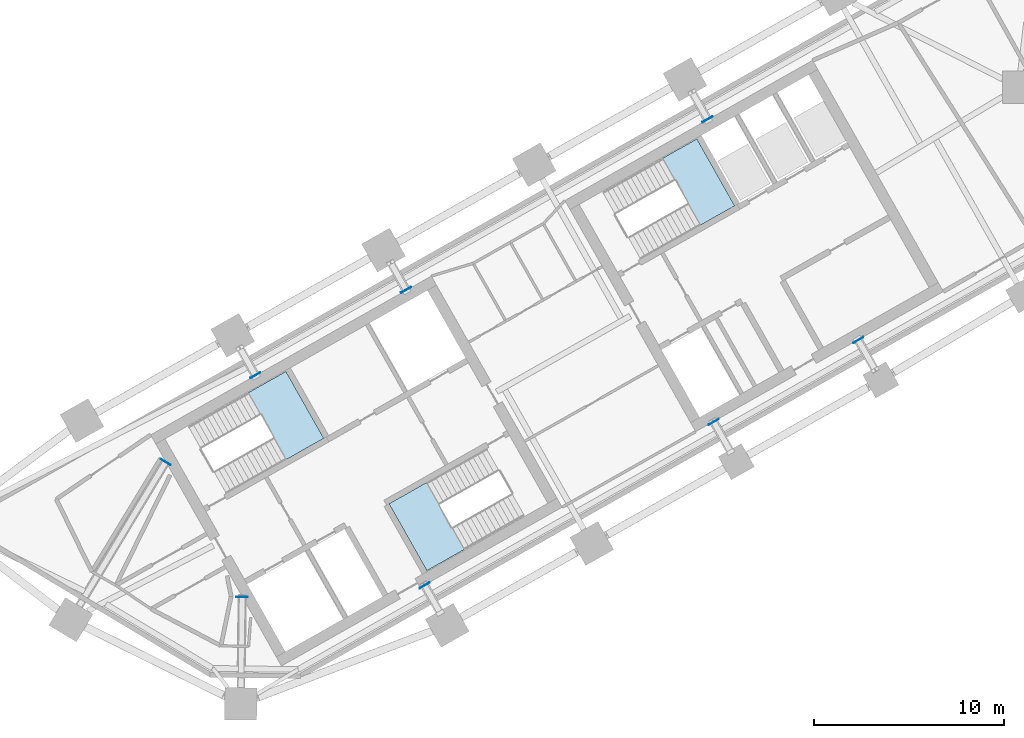
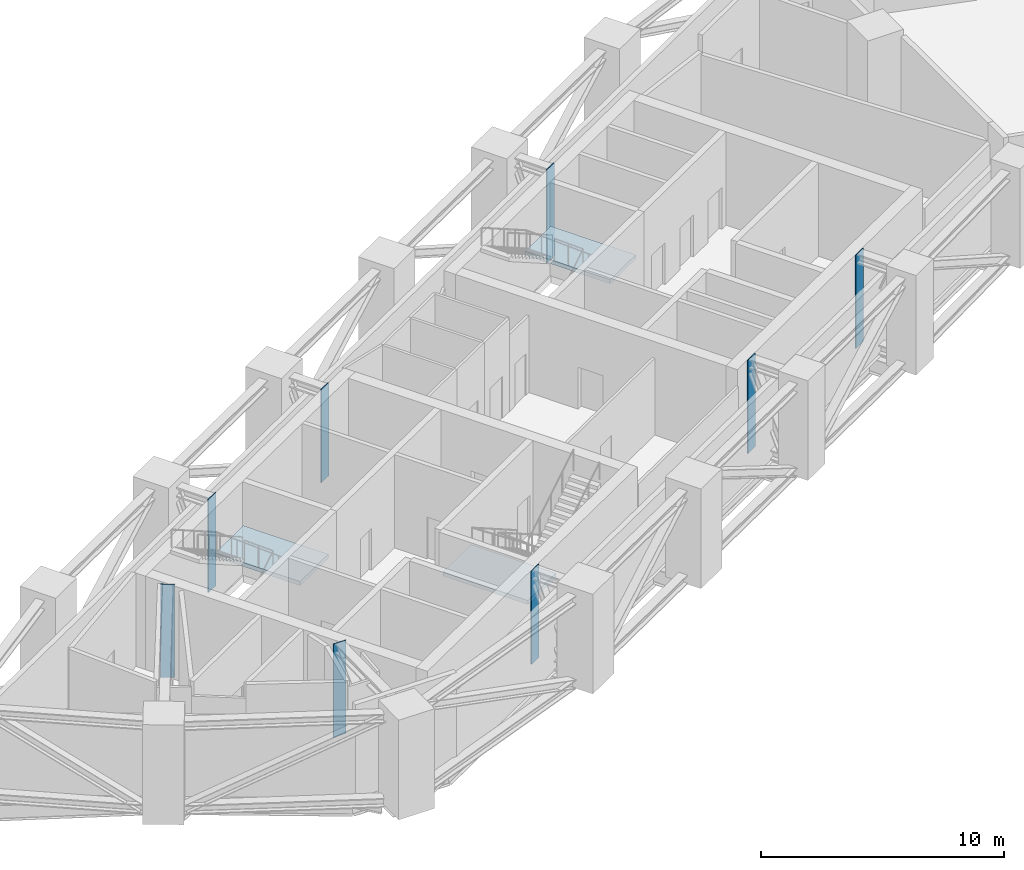
# One storey, part 6 of 16: 8 plates, 3 slabs, 3 elements without a shape of their own.
"""IFC4 building model written with IfcOpenShell, lengths in metres."""

from ifc_helpers import new_model, si_unit, direction, frame, origin, origin_2d, place, context, subcontext, project, spatial, polyline, rectangle, outline, extrude, material, layer, layer_set, type_object, element, aggregate, save


model = new_model("IFC4")

# Units and contexts
model_context = context("Model", 3, precision=1e-05, world=origin(), true_north=direction((0.0, 1.0)))
body_context = subcontext(model_context, "Body", "Model", "MODEL_VIEW")
ifc_project = project(units=[si_unit("LENGTHUNIT", "METRE"), si_unit("AREAUNIT", "SQUARE_METRE"), si_unit("VOLUMEUNIT", "CUBIC_METRE"), si_unit("PLANEANGLEUNIT", "RADIAN"), si_unit("MASSUNIT", "GRAM", prefix="KILO")], contexts=[model_context])

# Site, building, storey
site_placement = place(None, origin())
site = spatial("IfcSite", under=ifc_project, at=site_placement, CompositionType="ELEMENT")
building_placement = place(site_placement, origin())
building = spatial("IfcBuilding", under=site, at=building_placement, Name="Binnacle Exchange Tower", CompositionType="ELEMENT")
storey_placement = place(building_placement, frame((0.0, 0.0, 149.89990234375)))
storey = spatial("IfcBuildingStorey", under=building, at=storey_placement, Name="L31", CompositionType="ELEMENT", Elevation=149.89990234375)

# Plates
ifc_material_1 = material(Name="Steel S355 (SM355)", Category="steel")
ifc_layer_1 = layer(ifc_material_1, 0.0400390625)
ifc_layer_set_1 = layer_set([ifc_layer_1], Name="Cast-in plate 40")
plate_type = type_object("IfcPlateType", Name="Cast-in plate 40", PredefinedType="SHEET", material=ifc_layer_set_1)
for number, where, z_axis, x_axis, name in (
    (1, (-45.818603515625, 40.2412109375, 0.0), (0.0, 0.0, 1.0), (0.51503807491, 0.857167300702, 0.0), "Cast-in plate CP-OT31 40"),
    (2, (-41.091064453125, 44.8173828125, 0.0), (0.0, 0.0, 1.0), (0.492423560103, -0.87035569594, 0.0), "Cast-in plate CP-OT31 40"),
    (3, (-41.783935546875, 33.125, 0.0), (0.0, 0.0, 1.0), (0.013089595571, 0.999914327574, 0.0), "Cast-in plate CP-OT31 40"),
    (4, (-33.14501953125, 49.31298828125, 0.0), (0.0, 0.0, 1.0), (0.492423560103, -0.87035569594, 0.0), "Cast-in plate CP-OT31 40"),
    (5, (-32.164306640625, 33.736572265625, 0.0), (0.0, 0.0, 1.0), (-0.492423560103, 0.87035569594, 0.0), "Cast-in plate CP-OT31 40"),
    (6, (-17.25244140625, 58.3046875, 0.0), (0.0, 0.0, 1.0), (0.492423560103, -0.87035569594, 0.0), "Cast-in plate CP-OT31 40"),
    (7, (-16.92529296875, 42.3583984375, 0.0), (0.0, 0.0, 1.0), (-0.492423560103, 0.87035569594, 0.0), "Cast-in plate CP-OT31 40"),
    (8, (-9.3056640625, 46.66943359375, 0.0), (0.0, 0.0, 1.0), (-0.492423560103, 0.87035569594, 0.0), "Cast-in plate CP-OT31 40"),
):
    element("IfcPlate", number, at=place(storey_placement, frame(where, z_axis=z_axis, x_axis=x_axis)), inside=storey, type_object=plate_type, Name=name, PredefinedType="SHEET", context=body_context, shape_type="SweptSolid", body=[
        extrude(rectangle(XDim=0.0400390625, YDim=0.60009765625, at=origin_2d()), origin(), (0.0, 0.0, 1.0), 4.679931640625),
    ])

# Stair, slab
ifc_material_2 = material(Name="Concrete C35/45", Category="concrete")
stair_type = type_object("IfcStairType", Name="STAIR 28 RISERS 179", PredefinedType="HALF_TURN_STAIR", material=ifc_material_2)
stair_1_placement = place(storey_placement, origin())
stair_1 = element("IfcStair", 9, at=stair_1_placement, inside=storey, type_object=stair_type, Name="L31 Escape stair A1", PredefinedType="HALF_TURN_STAIR")
ifc_layer_2 = layer(ifc_material_2, 0.199951171875)
ifc_layer_set_2 = layer_set([ifc_layer_2], Name="STAIR LANDING 200")
slab_type = type_object("IfcSlabType", Name="STAIR LANDING 200", PredefinedType="LANDING", material=ifc_layer_set_2)
slab_1_placement = place(storey_placement, frame((0.0, 0.0, 2.300048828125)))
slab_1 = element("IfcSlab", 10, at=slab_1_placement, type_object=slab_type, Name="STA1 landing 1", PredefinedType="LANDING", context=body_context, shape_type="SweptSolid", body=[
    extrude(outline(polyline([(-39.470947265625, 40.368408203125), (-37.486572265625, 41.4912109375), (-39.48095703125, 45.01611328125), (-41.46533203125, 43.893310546875), (-39.470947265625, 40.368408203125)])), origin(), (0.0, 0.0, 1.0), 0.199951171875),
])
aggregate(stair_1, [slab_1])

stair_2_placement = place(storey_placement, origin())
stair_2 = element("IfcStair", 11, at=stair_2_placement, inside=storey, type_object=stair_type, Name="L31 Escape stair A2", PredefinedType="HALF_TURN_STAIR")
slab_2_placement = place(storey_placement, frame((0.0, 0.0, 2.300048828125)))
slab_2 = element("IfcSlab", 12, at=slab_2_placement, type_object=slab_type, Name="STA2 landing 1", PredefinedType="LANDING", context=body_context, shape_type="SweptSolid", body=[
    extrude(outline(polyline([(-32.05615234375, 39.163330078125), (-34.040771484375, 38.04052734375), (-32.04638671875, 34.515625), (-30.06201171875, 35.638427734375), (-32.05615234375, 39.163330078125)])), origin(), (0.0, 0.0, 1.0), 0.199951171875),
])
aggregate(stair_2, [slab_2])

stair_3_placement = place(storey_placement, origin())
stair_3 = element("IfcStair", 13, at=stair_3_placement, inside=storey, type_object=stair_type, Name="L31 Escape stair C1", PredefinedType="HALF_TURN_STAIR")
slab_3_placement = place(storey_placement, frame((0.0, 0.0, 2.300048828125)))
slab_3 = element("IfcSlab", 14, at=slab_3_placement, type_object=slab_type, Name="STC1 landing 1", PredefinedType="LANDING", context=body_context, shape_type="SweptSolid", body=[
    extrude(outline(polyline([(-17.6328125, 52.7236328125), (-15.822509765625, 53.748046875), (-17.81689453125, 57.27294921875), (-19.627197265625, 56.248779296875), (-17.6328125, 52.7236328125)])), origin(), (0.0, 0.0, 1.0), 0.199951171875),
])
aggregate(stair_3, [slab_3])

save(model, "model.ifc")
